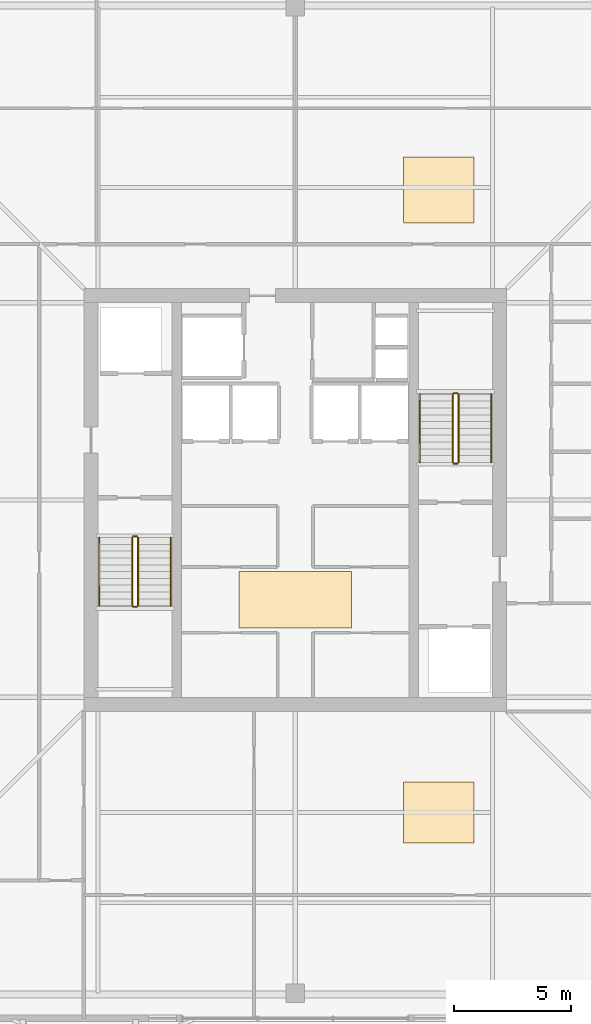
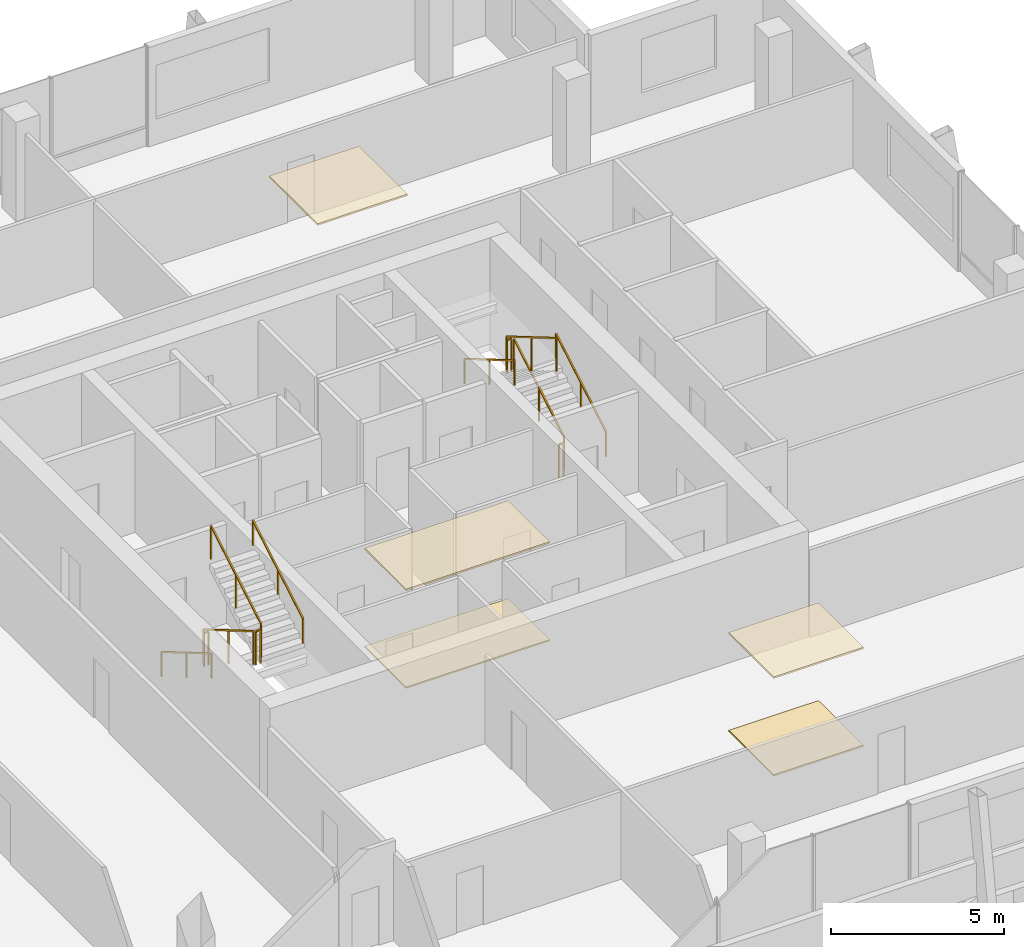
# One storey, part 17 of 17: 12 railings, 5 coverings.
"""IFC4 building model written with IfcOpenShell, lengths in metres."""

from ifc_helpers import new_model, si_unit, direction, frame, origin, origin_2d, place, context, subcontext, project, spatial, polyline, rectangle, outline, extrude, material, layer, layer_set, type_object, element, save


model = new_model("IFC4")

# Units and contexts
model_context = context("Model", 3, precision=1e-05, world=origin(), true_north=direction((0.0, 1.0)))
body_context = subcontext(model_context, "Body", "Model", "MODEL_VIEW")
ifc_project = project(units=[si_unit("LENGTHUNIT", "METRE"), si_unit("AREAUNIT", "SQUARE_METRE"), si_unit("VOLUMEUNIT", "CUBIC_METRE"), si_unit("PLANEANGLEUNIT", "RADIAN"), si_unit("MASSUNIT", "GRAM", prefix="KILO")], contexts=[model_context])

# Site, building, storey
site_placement = place(None, origin())
site = spatial("IfcSite", under=ifc_project, at=site_placement, CompositionType="ELEMENT")
building_placement = place(site_placement, origin())
building = spatial("IfcBuilding", under=site, at=building_placement, Name="Belovzor Exchange Tower", CompositionType="ELEMENT")
storey_placement = place(building_placement, frame((0.0, 0.0, 333.0)))
storey = spatial("IfcBuildingStorey", under=building, at=storey_placement, Name="L83", CompositionType="ELEMENT", Elevation=333.0)

# Railings
ifc_material_1 = material(Name="Stainless Steel Grade 304", Category="steel")
railing_type_1 = type_object("IfcRailingType", Name="Brushed Stainless Steel Stair Handrail 900", PredefinedType="HANDRAIL", material=ifc_material_1)
railing_1_placement = place(storey_placement, frame((20.449951171875, 27.199951171875, 0.17041015625)))
element("IfcRailing", 1, at=railing_1_placement, inside=storey, type_object=railing_type_1, Name="L83 ST-1 stair handrail 1", PredefinedType="HANDRAIL", context=body_context, shape_type="SweptSolid", body=[
    extrude(rectangle(XDim=0.048095703125, YDim=0.048095703125, at=origin_2d()), frame((0.0, 0.0, 0.8759765625), z_axis=(0.0, -0.86209462966, 0.506747323142), x_axis=(1.0, 0.0, 0.0)), (0.0, 0.0, 1.0), 3.36376953125),
    extrude(rectangle(XDim=0.0419921875, YDim=0.0419921875, at=origin_2d()), origin(), (0.0, 0.0, 1.0), 0.851806640625),
    extrude(rectangle(XDim=0.0419921875, YDim=0.0419921875, at=origin_2d()), frame((0.0, -1.449951171875, 0.852294921875)), (0.0, 0.0, 1.0), 0.851806640625),
    extrude(rectangle(XDim=0.0419921875, YDim=0.0419921875, at=origin_2d()), frame((0.0, -2.89990234375, 1.70458984375)), (0.0, 0.0, 1.0), 0.851806640625),
])
railing_2_placement = place(storey_placement, frame((23.5, 24.300048828125, 2.04541015625)))
element("IfcRailing", 2, at=railing_2_placement, inside=storey, type_object=railing_type_1, Name="L83 ST-1 stair handrail 2", PredefinedType="HANDRAIL", context=body_context, shape_type="SweptSolid", body=[
    extrude(rectangle(XDim=0.048095703125, YDim=0.048095703125, at=origin_2d()), frame((0.0, 0.0, 0.8759765625), z_axis=(0.0, 0.86209462966, 0.506747323142), x_axis=(-1.0, 0.0, 0.0)), (0.0, 0.0, 1.0), 3.36376953125),
    extrude(rectangle(XDim=0.0419921875, YDim=0.0419921875, at=origin_2d()), origin(), (0.0, 0.0, 1.0), 0.851806640625),
    extrude(rectangle(XDim=0.0419921875, YDim=0.0419921875, at=origin_2d()), frame((0.0, 1.449951171875, 0.852294921875)), (0.0, 0.0, 1.0), 0.851806640625),
    extrude(rectangle(XDim=0.0419921875, YDim=0.0419921875, at=origin_2d()), frame((0.0, 2.89990234375, 1.70458984375)), (0.0, 0.0, 1.0), 0.851806640625),
])
railing_3_placement = place(storey_placement, frame((37.14990234375, 30.39990234375, 0.17041015625)))
element("IfcRailing", 3, at=railing_3_placement, inside=storey, type_object=railing_type_1, Name="L83 ST-2 stair handrail 1", PredefinedType="HANDRAIL", context=body_context, shape_type="SweptSolid", body=[
    extrude(rectangle(XDim=0.048095703125, YDim=0.048095703125, at=origin_2d()), frame((0.0, 0.0, 0.8759765625), z_axis=(0.0, 0.862113265706, 0.506715617574), x_axis=(-1.0, 0.0, 0.0)), (0.0, 0.0, 1.0), 3.364013671875),
    extrude(rectangle(XDim=0.0419921875, YDim=0.0419921875, at=origin_2d()), origin(), (0.0, 0.0, 1.0), 0.851806640625),
    extrude(rectangle(XDim=0.0419921875, YDim=0.0419921875, at=origin_2d()), frame((0.0, 1.4501953125, 0.852294921875)), (0.0, 0.0, 1.0), 0.851806640625),
    extrude(rectangle(XDim=0.0419921875, YDim=0.0419921875, at=origin_2d()), frame((0.0, 2.900146484375, 1.70458984375)), (0.0, 0.0, 1.0), 0.851806640625),
])
railing_4_placement = place(storey_placement, frame((34.10009765625, 33.300048828125, 2.04541015625)))
element("IfcRailing", 4, at=railing_4_placement, inside=storey, type_object=railing_type_1, Name="L83 ST-2 stair handrail 2", PredefinedType="HANDRAIL", context=body_context, shape_type="SweptSolid", body=[
    extrude(rectangle(XDim=0.048095703125, YDim=0.048095703125, at=origin_2d()), frame((0.0, 0.0, 0.8759765625), z_axis=(0.0, -0.862113265706, 0.506715617574), x_axis=(1.0, 0.0, 0.0)), (0.0, 0.0, 1.0), 3.364013671875),
    extrude(rectangle(XDim=0.0419921875, YDim=0.0419921875, at=origin_2d()), origin(), (0.0, 0.0, 1.0), 0.851806640625),
    extrude(rectangle(XDim=0.0419921875, YDim=0.0419921875, at=origin_2d()), frame((0.0, -1.4501953125, 0.852294921875)), (0.0, 0.0, 1.0), 0.851806640625),
    extrude(rectangle(XDim=0.0419921875, YDim=0.0419921875, at=origin_2d()), frame((0.0, -2.900146484375, 1.70458984375)), (0.0, 0.0, 1.0), 0.851806640625),
])
ifc_material_2 = material(Name="Steel S355", Category="steel")
railing_type_2 = type_object("IfcRailingType", Name="Painted Steel Stairwell Guardrail 1200", PredefinedType="GUARDRAIL", material=ifc_material_2)
railing_5_placement = place(storey_placement, frame((21.85009765625, 27.199951171875, 0.17041015625)))
element("IfcRailing", 5, at=railing_5_placement, inside=storey, type_object=railing_type_2, Name="L83 ST-1 stair guard 1", PredefinedType="GUARDRAIL", context=body_context, shape_type="SweptSolid", body=[
    extrude(rectangle(XDim=0.048095703125, YDim=0.048095703125, at=origin_2d()), frame((0.0, 0.0, 1.17578125), z_axis=(0.0, -0.86209462966, 0.506747323142), x_axis=(1.0, 0.0, 0.0)), (0.0, 0.0, 1.0), 3.36376953125),
    extrude(rectangle(XDim=0.0419921875, YDim=0.0419921875, at=origin_2d()), origin(), (0.0, 0.0, 1.0), 1.15185546875),
    extrude(rectangle(XDim=0.0419921875, YDim=0.0419921875, at=origin_2d()), frame((0.0, -1.449951171875, 0.852294921875)), (0.0, 0.0, 1.0), 1.15185546875),
    extrude(rectangle(XDim=0.0419921875, YDim=0.0419921875, at=origin_2d()), frame((0.0, -2.89990234375, 1.70458984375)), (0.0, 0.0, 1.0), 1.15185546875),
])
railing_6_placement = place(storey_placement, frame((21.89990234375, 24.25, 1.875)))
element("IfcRailing", 6, at=railing_6_placement, inside=storey, type_object=railing_type_2, Name="L83 ST-1 stair guard 2", PredefinedType="GUARDRAIL", context=body_context, shape_type="SweptSolid", body=[
    extrude(rectangle(XDim=0.048095703125, YDim=0.048095703125, at=origin_2d()), frame((0.0, 0.0, 1.17578125), z_axis=(1.0, 0.0, 0.0), x_axis=(0.0, 1.0, 0.0)), (0.0, 0.0, 1.0), 0.150146484375),
    extrude(rectangle(XDim=0.0419921875, YDim=0.0419921875, at=origin_2d()), origin(), (0.0, 0.0, 1.0), 1.15185546875),
    extrude(rectangle(XDim=0.0419921875, YDim=0.0419921875, at=origin_2d()), frame((0.150146484375, 0.0, 0.0)), (0.0, 0.0, 1.0), 1.15185546875),
])
railing_7_placement = place(storey_placement, frame((22.10009765625, 24.300048828125, 2.04541015625)))
element("IfcRailing", 7, at=railing_7_placement, inside=storey, type_object=railing_type_2, Name="L83 ST-1 stair guard 3", PredefinedType="GUARDRAIL", context=body_context, shape_type="SweptSolid", body=[
    extrude(rectangle(XDim=0.048095703125, YDim=0.048095703125, at=origin_2d()), frame((0.0, 0.0, 1.17578125), z_axis=(0.0, 0.86209462966, 0.506747323142), x_axis=(-1.0, 0.0, 0.0)), (0.0, 0.0, 1.0), 3.36376953125),
    extrude(rectangle(XDim=0.0419921875, YDim=0.0419921875, at=origin_2d()), origin(), (0.0, 0.0, 1.0), 1.15185546875),
    extrude(rectangle(XDim=0.0419921875, YDim=0.0419921875, at=origin_2d()), frame((0.0, 1.449951171875, 0.852294921875)), (0.0, 0.0, 1.0), 1.15185546875),
    extrude(rectangle(XDim=0.0419921875, YDim=0.0419921875, at=origin_2d()), frame((0.0, 2.89990234375, 1.70458984375)), (0.0, 0.0, 1.0), 1.15185546875),
])
railing_8_placement = place(storey_placement, frame((21.89990234375, 27.25, 0.0)))
element("IfcRailing", 8, at=railing_8_placement, inside=storey, type_object=railing_type_2, Name="L83 ST-1 stair guard 4", PredefinedType="GUARDRAIL", context=body_context, shape_type="SweptSolid", body=[
    extrude(rectangle(XDim=0.048095703125, YDim=0.048095703125, at=origin_2d()), frame((0.0, 0.0, 1.17578125), z_axis=(1.0, 0.0, 0.0), x_axis=(0.0, 1.0, 0.0)), (0.0, 0.0, 1.0), 0.150146484375),
    extrude(rectangle(XDim=0.0419921875, YDim=0.0419921875, at=origin_2d()), origin(), (0.0, 0.0, 1.0), 1.15185546875),
    extrude(rectangle(XDim=0.0419921875, YDim=0.0419921875, at=origin_2d()), frame((0.150146484375, 0.0, 0.0)), (0.0, 0.0, 1.0), 1.15185546875),
])
railing_9_placement = place(storey_placement, frame((35.75, 30.39990234375, 0.17041015625)))
element("IfcRailing", 9, at=railing_9_placement, inside=storey, type_object=railing_type_2, Name="L83 ST-2 stair guard 1", PredefinedType="GUARDRAIL", context=body_context, shape_type="SweptSolid", body=[
    extrude(rectangle(XDim=0.048095703125, YDim=0.048095703125, at=origin_2d()), frame((0.0, 0.0, 1.17578125), z_axis=(0.0, 0.862113265706, 0.506715617574), x_axis=(-1.0, 0.0, 0.0)), (0.0, 0.0, 1.0), 3.364013671875),
    extrude(rectangle(XDim=0.0419921875, YDim=0.0419921875, at=origin_2d()), origin(), (0.0, 0.0, 1.0), 1.15185546875),
    extrude(rectangle(XDim=0.0419921875, YDim=0.0419921875, at=origin_2d()), frame((0.0, 1.4501953125, 0.852294921875)), (0.0, 0.0, 1.0), 1.15185546875),
    extrude(rectangle(XDim=0.0419921875, YDim=0.0419921875, at=origin_2d()), frame((0.0, 2.900146484375, 1.70458984375)), (0.0, 0.0, 1.0), 1.15185546875),
])
railing_10_placement = place(storey_placement, frame((35.699951171875, 33.35009765625, 1.875)))
element("IfcRailing", 10, at=railing_10_placement, inside=storey, type_object=railing_type_2, Name="L83 ST-2 stair guard 2", PredefinedType="GUARDRAIL", context=body_context, shape_type="SweptSolid", body=[
    extrude(rectangle(XDim=0.048095703125, YDim=0.048095703125, at=origin_2d()), frame((0.0, 0.0, 1.17578125), z_axis=(-1.0, 0.0, 0.0), x_axis=(0.0, -1.0, 0.0)), (0.0, 0.0, 1.0), 0.14990234375),
    extrude(rectangle(XDim=0.0419921875, YDim=0.0419921875, at=origin_2d()), origin(), (0.0, 0.0, 1.0), 1.15185546875),
    extrude(rectangle(XDim=0.0419921875, YDim=0.0419921875, at=origin_2d()), frame((-0.14990234375, 0.0, 0.0)), (0.0, 0.0, 1.0), 1.15185546875),
])
railing_11_placement = place(storey_placement, frame((35.5, 33.300048828125, 2.04541015625)))
element("IfcRailing", 11, at=railing_11_placement, inside=storey, type_object=railing_type_2, Name="L83 ST-2 stair guard 3", PredefinedType="GUARDRAIL", context=body_context, shape_type="SweptSolid", body=[
    extrude(rectangle(XDim=0.048095703125, YDim=0.048095703125, at=origin_2d()), frame((0.0, 0.0, 1.17578125), z_axis=(0.0, -0.862113265706, 0.506715617574), x_axis=(1.0, 0.0, 0.0)), (0.0, 0.0, 1.0), 3.364013671875),
    extrude(rectangle(XDim=0.0419921875, YDim=0.0419921875, at=origin_2d()), origin(), (0.0, 0.0, 1.0), 1.15185546875),
    extrude(rectangle(XDim=0.0419921875, YDim=0.0419921875, at=origin_2d()), frame((0.0, -1.4501953125, 0.852294921875)), (0.0, 0.0, 1.0), 1.15185546875),
    extrude(rectangle(XDim=0.0419921875, YDim=0.0419921875, at=origin_2d()), frame((0.0, -2.900146484375, 1.70458984375)), (0.0, 0.0, 1.0), 1.15185546875),
])
railing_12_placement = place(storey_placement, frame((35.699951171875, 30.35009765625, 0.0)))
element("IfcRailing", 12, at=railing_12_placement, inside=storey, type_object=railing_type_2, Name="L83 ST-2 stair guard 4", PredefinedType="GUARDRAIL", context=body_context, shape_type="SweptSolid", body=[
    extrude(rectangle(XDim=0.048095703125, YDim=0.048095703125, at=origin_2d()), frame((0.0, 0.0, 1.17578125), z_axis=(-1.0, 0.0, 0.0), x_axis=(0.0, -1.0, 0.0)), (0.0, 0.0, 1.0), 0.14990234375),
    extrude(rectangle(XDim=0.0419921875, YDim=0.0419921875, at=origin_2d()), origin(), (0.0, 0.0, 1.0), 1.15185546875),
    extrude(rectangle(XDim=0.0419921875, YDim=0.0419921875, at=origin_2d()), frame((-0.14990234375, 0.0, 0.0)), (0.0, 0.0, 1.0), 1.15185546875),
])

# Coverings
ifc_material_3 = material(Name="Perforated Powder-Coated Aluminium", Category="aluminium")
ifc_layer_1 = layer(ifc_material_3, 0.06005859375)
ifc_layer_set_1 = layer_set([ifc_layer_1], Name="Perforated Powder-Coated Aluminium")
covering_type_1 = type_object("IfcCoveringType", Name="Perforated Acoustic Metal Tile Suspended Ceiling 60", PredefinedType="CEILING", material=ifc_layer_set_1)
covering_1_placement = place(storey_placement, frame((0.0, 0.0, 3.449951171875)))
element("IfcCovering", 13, at=covering_1_placement, inside=storey, type_object=covering_type_1, Name="CLG-AC60 Suspended Ceiling CLG-L83-LOB", PredefinedType="CEILING", context=body_context, shape_type="SweptSolid", body=[
    extrude(outline(polyline([(26.39990234375, 23.35009765625), (31.199951171875, 23.35009765625), (31.199951171875, 25.75), (26.39990234375, 25.75), (26.39990234375, 23.35009765625)])), origin(), (0.0, 0.0, 1.0), 0.06005859375),
])
covering_2_placement = place(storey_placement, frame((0.0, 0.0, 3.449951171875)))
element("IfcCovering", 14, at=covering_2_placement, inside=storey, type_object=covering_type_1, Name="CLG-AC60 Suspended Ceiling CLG-L83-Z1", PredefinedType="CEILING", context=body_context, shape_type="SweptSolid", body=[
    extrude(outline(polyline([(33.39990234375, 14.199951171875), (36.39990234375, 14.199951171875), (36.39990234375, 16.800048828125), (33.39990234375, 16.800048828125), (33.39990234375, 14.199951171875)])), origin(), (0.0, 0.0, 1.0), 0.06005859375),
])
covering_3_placement = place(storey_placement, frame((0.0, 0.0, 3.449951171875)))
element("IfcCovering", 15, at=covering_3_placement, inside=storey, type_object=covering_type_1, Name="CLG-AC60 Suspended Ceiling CLG-L83-Z2", PredefinedType="CEILING", context=body_context, shape_type="SweptSolid", body=[
    extrude(outline(polyline([(33.39990234375, 40.60009765625), (36.39990234375, 40.60009765625), (36.39990234375, 43.39990234375), (33.39990234375, 43.39990234375), (33.39990234375, 40.60009765625)])), origin(), (0.0, 0.0, 1.0), 0.06005859375),
])
ifc_material_4 = material(Name="Polished Natural Granite Tile", Category="masonry")
ifc_layer_2 = layer(ifc_material_4, 0.050048828125)
ifc_layer_set_2 = layer_set([ifc_layer_2], Name="Polished Natural Granite Tile")
covering_type_2 = type_object("IfcCoveringType", Name="Polished Karelian Granite & Raised Access Floor Finish 50", PredefinedType="FLOORING", material=ifc_layer_set_2)
covering_4_placement = place(storey_placement, origin())
element("IfcCovering", 16, at=covering_4_placement, inside=storey, type_object=covering_type_2, Name="FLR-GR50 Floor Finish FLR-L83-LOB", PredefinedType="FLOORING", context=body_context, shape_type="SweptSolid", body=[
    extrude(outline(polyline([(26.39990234375, 23.35009765625), (31.199951171875, 23.35009765625), (31.199951171875, 25.75), (26.39990234375, 25.75), (26.39990234375, 23.35009765625)])), origin(), (0.0, 0.0, 1.0), 0.050048828125),
])
covering_5_placement = place(storey_placement, origin())
element("IfcCovering", 17, at=covering_5_placement, inside=storey, type_object=covering_type_2, Name="FLR-GR50 Floor Finish FLR-L83-Z1", PredefinedType="FLOORING", context=body_context, shape_type="SweptSolid", body=[
    extrude(outline(polyline([(33.39990234375, 14.199951171875), (36.39990234375, 14.199951171875), (36.39990234375, 16.800048828125), (33.39990234375, 16.800048828125), (33.39990234375, 14.199951171875)])), origin(), (0.0, 0.0, 1.0), 0.050048828125),
])

save(model, "model.ifc")
